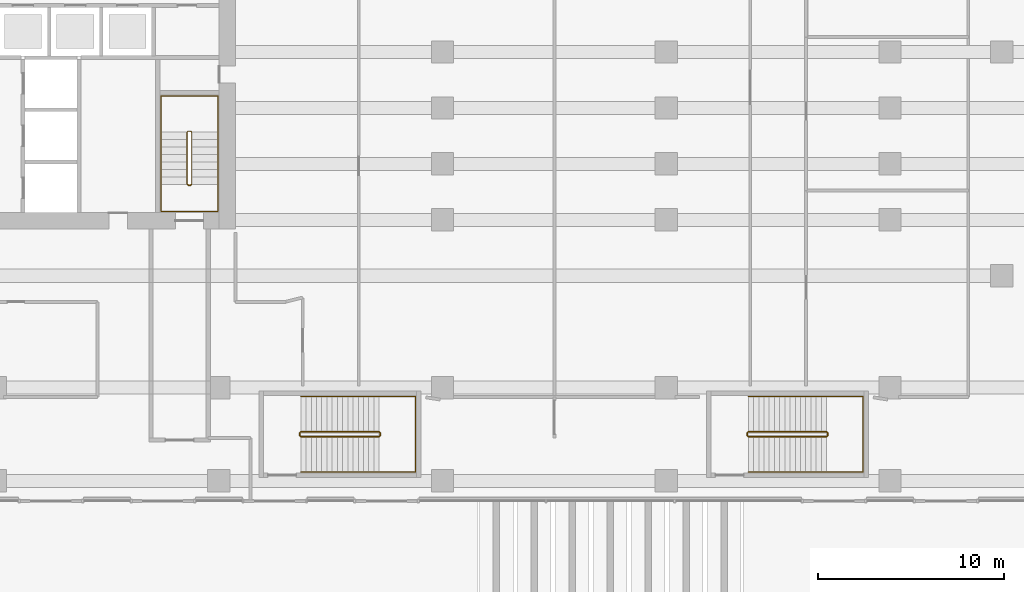
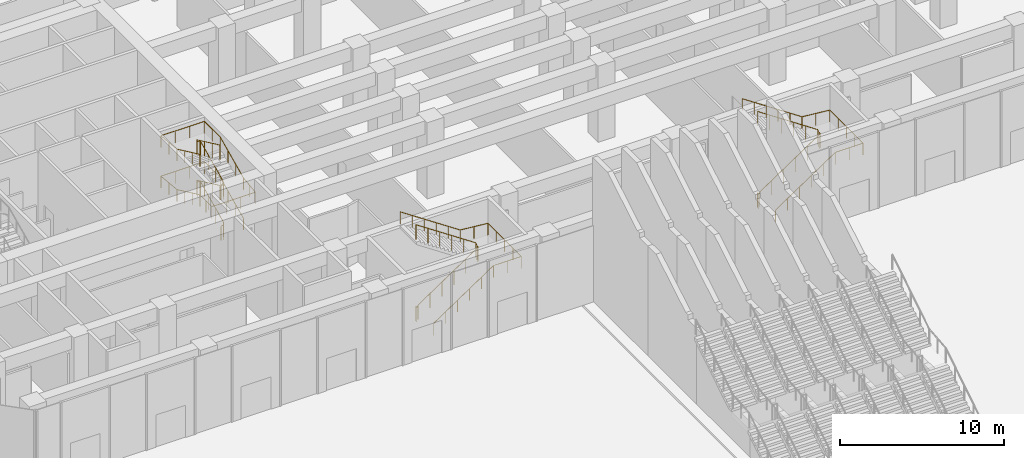
# One storey, part 29 of 32: 6 railings.
"""IFC4 building model written with IfcOpenShell, lengths in metres."""

from ifc_helpers import new_model, si_unit, direction, frame, origin, origin_2d, place, context, subcontext, project, spatial, circle, extrude, material, type_object, element, save


model = new_model("IFC4")

# Units and contexts
model_context = context("Model", 3, precision=1e-05, world=origin(), true_north=direction((0.0, 1.0)))
body_context = subcontext(model_context, "Body", "Model", "MODEL_VIEW")
ifc_project = project(units=[si_unit("LENGTHUNIT", "METRE"), si_unit("AREAUNIT", "SQUARE_METRE"), si_unit("VOLUMEUNIT", "CUBIC_METRE"), si_unit("PLANEANGLEUNIT", "RADIAN"), si_unit("MASSUNIT", "GRAM", prefix="KILO")], contexts=[model_context])

# Site, building, storey
site_placement = place(None, origin())
site = spatial("IfcSite", under=ifc_project, at=site_placement, CompositionType="ELEMENT")
building_placement = place(site_placement, origin())
building = spatial("IfcBuilding", under=site, at=building_placement, Name="Welwitschia Terrace Campus", CompositionType="ELEMENT")
storey_placement = place(building_placement, origin())
storey = spatial("IfcBuildingStorey", under=building, at=storey_placement, Name="L00", CompositionType="ELEMENT", Elevation=0.0)

# Railings
ifc_material_1 = material(Name="Steel S355", Category="steel")
railing_type_1 = type_object("IfcRailingType", Name="Stair guard 1100", PredefinedType="GUARDRAIL", material=ifc_material_1)
railing_1_placement = place(storey_placement, frame((22.35009765625, 6.85009765625, 0.0)))
element("IfcRailing", 1, at=railing_1_placement, inside=storey, type_object=railing_type_1, Name="L00 S2 stair guard", PredefinedType="GUARDRAIL", context=body_context, shape_type="SweptSolid", body=[
    extrude(circle(Radius=0.02392578125, at=origin_2d()), frame((0.0, 0.0, 1.076171875), z_axis=(1.0, 0.0, 0.0), x_axis=(0.0, 1.0, 0.0)), (0.0, 0.0, 1.0), 0.14990234375),
    extrude(circle(Radius=0.02392578125, at=origin_2d()), frame((0.14990234375, 0.0, 1.076171875), z_axis=(0.249802250048, 0.248583702486, 0.935844527007), x_axis=(-0.705375805398, 0.708833529934, 0.0)), (0.0, 0.0, 1.0), 0.200439453125),
    extrude(circle(Radius=0.02392578125, at=origin_2d()), frame((0.199951171875, 0.0498046875, 1.263671875), z_axis=(0.0, 0.905461780365, 0.424427808112), x_axis=(-1.0, 0.0, 0.0)), (0.0, 0.0, 1.0), 3.09228515625),
    extrude(circle(Radius=0.02392578125, at=origin_2d()), frame((0.199951171875, 2.849853515625, 2.576171875), z_axis=(-0.707106781187, 0.707106781187, 0.0), x_axis=(-0.707106781187, -0.707106781187, 0.0)), (0.0, 0.0, 1.0), 0.07080078125),
    extrude(circle(Radius=0.02392578125, at=origin_2d()), frame((0.14990234375, 2.89990234375, 2.576171875), z_axis=(-1.0, 0.0, 0.0), x_axis=(0.0, -1.0, 0.0)), (0.0, 0.0, 1.0), 0.14990234375),
    extrude(circle(Radius=0.02392578125, at=origin_2d()), frame((0.0, 2.89990234375, 2.576171875), z_axis=(-0.249726431254, -0.249726431254, 0.935560483917), x_axis=(0.707106781187, -0.707106781187, 0.0)), (0.0, 0.0, 1.0), 0.200439453125),
    extrude(circle(Radius=0.02392578125, at=origin_2d()), frame((-0.050048828125, 2.849853515625, 2.763671875), z_axis=(0.0, -0.905461780365, 0.424427808112), x_axis=(1.0, 0.0, 0.0)), (0.0, 0.0, 1.0), 3.09228515625),
    extrude(circle(Radius=0.02392578125, at=origin_2d()), frame((-0.050048828125, 0.0498046875, 4.076171875), z_axis=(0.970351222016, -0.241699205484, 0.0), x_axis=(0.241699205484, 0.970351222016, 0.0)), (0.0, 0.0, 1.0), 0.2060546875),
    extrude(circle(Radius=0.02392578125, at=origin_2d()), frame((0.14990234375, 0.0, 4.076171875), z_axis=(-1.0, 0.0, 0.0), x_axis=(0.0, -1.0, 0.0)), (0.0, 0.0, 1.0), 0.14990234375),
    extrude(circle(Radius=0.02392578125, at=origin_2d()), frame((0.0, 0.0, 4.076171875), z_axis=(0.717703211385, 0.178768565473, 0.673011070017), x_axis=(-0.241699205484, 0.970351222016, 0.0)), (0.0, 0.0, 1.0), 0.278564453125),
    extrude(circle(Radius=0.02392578125, at=origin_2d()), frame((0.199951171875, 0.0498046875, 4.263671875), z_axis=(0.0, 0.905461780365, 0.424427808112), x_axis=(-1.0, 0.0, 0.0)), (0.0, 0.0, 1.0), 3.09228515625),
    extrude(circle(Radius=0.02392578125, at=origin_2d()), frame((0.199951171875, 2.849853515625, 5.576171875), z_axis=(-0.707106781187, 0.707106781187, 0.0), x_axis=(-0.707106781187, -0.707106781187, 0.0)), (0.0, 0.0, 1.0), 0.07080078125),
    extrude(circle(Radius=0.02392578125, at=origin_2d()), frame((0.14990234375, 2.89990234375, 5.576171875), z_axis=(-1.0, 0.0, 0.0), x_axis=(0.0, -1.0, 0.0)), (0.0, 0.0, 1.0), 0.14990234375),
    extrude(circle(Radius=0.02392578125, at=origin_2d()), frame((0.0, 2.89990234375, 5.576171875), z_axis=(-0.249726431254, -0.249726431254, 0.935560483917), x_axis=(0.707106781187, -0.707106781187, 0.0)), (0.0, 0.0, 1.0), 0.200439453125),
    extrude(circle(Radius=0.02392578125, at=origin_2d()), frame((-0.050048828125, 2.849853515625, 5.763671875), z_axis=(0.0, -0.905461780365, 0.424427808112), x_axis=(1.0, 0.0, 0.0)), (0.0, 0.0, 1.0), 3.09228515625),
    extrude(circle(Radius=0.02099609375, at=origin_2d()), origin(), (0.0, 0.0, 1.0), 1.052001953125),
    extrude(circle(Radius=0.02099609375, at=origin_2d()), frame((0.14990234375, 0.0, 0.0)), (0.0, 0.0, 1.0), 1.052001953125),
    extrude(circle(Radius=0.02099609375, at=origin_2d()), frame((0.199951171875, 0.0498046875, 0.1875)), (0.0, 0.0, 1.0), 1.052001953125),
    extrude(circle(Radius=0.02099609375, at=origin_2d()), frame((0.199951171875, 0.983154296875, 0.625)), (0.0, 0.0, 1.0), 1.052001953125),
    extrude(circle(Radius=0.02099609375, at=origin_2d()), frame((0.199951171875, 1.91650390625, 1.0625)), (0.0, 0.0, 1.0), 1.052001953125),
    extrude(circle(Radius=0.02099609375, at=origin_2d()), frame((0.199951171875, 2.849853515625, 1.5)), (0.0, 0.0, 1.0), 1.052001953125),
    extrude(circle(Radius=0.02099609375, at=origin_2d()), frame((0.14990234375, 2.89990234375, 1.5)), (0.0, 0.0, 1.0), 1.052001953125),
    extrude(circle(Radius=0.02099609375, at=origin_2d()), frame((0.0, 2.89990234375, 1.5)), (0.0, 0.0, 1.0), 1.052001953125),
    extrude(circle(Radius=0.02099609375, at=origin_2d()), frame((-0.050048828125, 2.849853515625, 1.6875)), (0.0, 0.0, 1.0), 1.052001953125),
    extrude(circle(Radius=0.02099609375, at=origin_2d()), frame((-0.050048828125, 1.91650390625, 2.125)), (0.0, 0.0, 1.0), 1.052001953125),
    extrude(circle(Radius=0.02099609375, at=origin_2d()), frame((-0.050048828125, 0.983154296875, 2.5625)), (0.0, 0.0, 1.0), 1.052001953125),
    extrude(circle(Radius=0.02099609375, at=origin_2d()), frame((-0.050048828125, 0.0498046875, 3.0)), (0.0, 0.0, 1.0), 1.052001953125),
    extrude(circle(Radius=0.02099609375, at=origin_2d()), frame((0.14990234375, 0.0, 3.0)), (0.0, 0.0, 1.0), 1.052001953125),
    extrude(circle(Radius=0.02099609375, at=origin_2d()), frame((0.0, 0.0, 3.0)), (0.0, 0.0, 1.0), 1.052001953125),
    extrude(circle(Radius=0.02099609375, at=origin_2d()), frame((0.199951171875, 0.0498046875, 3.1875)), (0.0, 0.0, 1.0), 1.052001953125),
    extrude(circle(Radius=0.02099609375, at=origin_2d()), frame((0.199951171875, 0.983154296875, 3.625)), (0.0, 0.0, 1.0), 1.052001953125),
    extrude(circle(Radius=0.02099609375, at=origin_2d()), frame((0.199951171875, 1.91650390625, 4.0625)), (0.0, 0.0, 1.0), 1.052001953125),
    extrude(circle(Radius=0.02099609375, at=origin_2d()), frame((0.199951171875, 2.849853515625, 4.5)), (0.0, 0.0, 1.0), 1.052001953125),
    extrude(circle(Radius=0.02099609375, at=origin_2d()), frame((0.14990234375, 2.89990234375, 4.5)), (0.0, 0.0, 1.0), 1.052001953125),
    extrude(circle(Radius=0.02099609375, at=origin_2d()), frame((0.0, 2.89990234375, 4.5)), (0.0, 0.0, 1.0), 1.052001953125),
    extrude(circle(Radius=0.02099609375, at=origin_2d()), frame((-0.050048828125, 2.849853515625, 4.6875)), (0.0, 0.0, 1.0), 1.052001953125),
    extrude(circle(Radius=0.02099609375, at=origin_2d()), frame((-0.050048828125, 1.91650390625, 5.125)), (0.0, 0.0, 1.0), 1.052001953125),
    extrude(circle(Radius=0.02099609375, at=origin_2d()), frame((-0.050048828125, 0.983154296875, 5.5625)), (0.0, 0.0, 1.0), 1.052001953125),
    extrude(circle(Radius=0.02099609375, at=origin_2d()), frame((-0.050048828125, 0.0498046875, 6.0)), (0.0, 0.0, 1.0), 1.052001953125),
])
railing_2_placement = place(storey_placement, frame((28.35009765625, -6.425048828125, 0.0)))
element("IfcRailing", 2, at=railing_2_placement, inside=storey, type_object=railing_type_1, Name="L00 P1 stair guard", PredefinedType="GUARDRAIL", context=body_context, shape_type="SweptSolid", body=[
    extrude(circle(Radius=0.02392578125, at=origin_2d()), frame((0.0, 0.0, 1.076171875), z_axis=(0.0, -1.0, 0.0), x_axis=(1.0, 0.0, 0.0)), (0.0, 0.0, 1.0), 0.14990234375),
    extrude(circle(Radius=0.02392578125, at=origin_2d()), frame((0.0, -0.14990234375, 1.076171875), z_axis=(0.248583702486, -0.249802250048, 0.935844527007), x_axis=(0.708833529934, 0.705375805398, 0.0)), (0.0, 0.0, 1.0), 0.200439453125),
    extrude(circle(Radius=0.02392578125, at=origin_2d()), frame((0.0498046875, -0.199951171875, 1.263671875), z_axis=(0.830919138977, 0.0, 0.55639319234), x_axis=(0.0, 1.0, 0.0)), (0.0, 0.0, 1.0), 5.054931640625),
    extrude(circle(Radius=0.02392578125, at=origin_2d()), frame((4.25, -0.199951171875, 4.076171875), z_axis=(0.705375805398, 0.708833529934, 0.0), x_axis=(-0.708833529934, 0.705375805398, 0.0)), (0.0, 0.0, 1.0), 0.070556640625),
    extrude(circle(Radius=0.02392578125, at=origin_2d()), frame((4.2998046875, -0.14990234375, 4.076171875), z_axis=(0.0, 1.0, 0.0), x_axis=(-1.0, 0.0, 0.0)), (0.0, 0.0, 1.0), 0.14990234375),
    extrude(circle(Radius=0.02392578125, at=origin_2d()), frame((4.2998046875, 0.0, 4.076171875), z_axis=(-0.248583702486, 0.249802250048, 0.935844527007), x_axis=(-0.708833529934, -0.705375805398, 0.0)), (0.0, 0.0, 1.0), 0.200439453125),
    extrude(circle(Radius=0.02392578125, at=origin_2d()), frame((4.25, 0.050048828125, 4.263671875), z_axis=(-0.830919138977, 0.0, 0.55639319234), x_axis=(0.0, -1.0, 0.0)), (0.0, 0.0, 1.0), 5.054931640625),
    extrude(circle(Radius=0.02099609375, at=origin_2d()), origin(), (0.0, 0.0, 1.0), 1.052001953125),
    extrude(circle(Radius=0.02099609375, at=origin_2d()), frame((0.0, -0.14990234375, 0.0)), (0.0, 0.0, 1.0), 1.052001953125),
    extrude(circle(Radius=0.02099609375, at=origin_2d()), frame((0.0498046875, -0.199951171875, 0.1875)), (0.0, 0.0, 1.0), 1.052001953125),
    extrude(circle(Radius=0.02099609375, at=origin_2d()), frame((0.889892578125, -0.199951171875, 0.75)), (0.0, 0.0, 1.0), 1.052001953125),
    extrude(circle(Radius=0.02099609375, at=origin_2d()), frame((1.72998046875, -0.199951171875, 1.3125)), (0.0, 0.0, 1.0), 1.052001953125),
    extrude(circle(Radius=0.02099609375, at=origin_2d()), frame((2.56982421875, -0.199951171875, 1.875)), (0.0, 0.0, 1.0), 1.052001953125),
    extrude(circle(Radius=0.02099609375, at=origin_2d()), frame((3.409912109375, -0.199951171875, 2.4375)), (0.0, 0.0, 1.0), 1.052001953125),
    extrude(circle(Radius=0.02099609375, at=origin_2d()), frame((4.25, -0.199951171875, 3.0)), (0.0, 0.0, 1.0), 1.052001953125),
    extrude(circle(Radius=0.02099609375, at=origin_2d()), frame((4.2998046875, -0.14990234375, 3.0)), (0.0, 0.0, 1.0), 1.052001953125),
    extrude(circle(Radius=0.02099609375, at=origin_2d()), frame((4.2998046875, 0.0, 3.0)), (0.0, 0.0, 1.0), 1.052001953125),
    extrude(circle(Radius=0.02099609375, at=origin_2d()), frame((4.25, 0.050048828125, 3.1875)), (0.0, 0.0, 1.0), 1.052001953125),
    extrude(circle(Radius=0.02099609375, at=origin_2d()), frame((3.409912109375, 0.050048828125, 3.75)), (0.0, 0.0, 1.0), 1.052001953125),
    extrude(circle(Radius=0.02099609375, at=origin_2d()), frame((2.56982421875, 0.050048828125, 4.3125)), (0.0, 0.0, 1.0), 1.052001953125),
    extrude(circle(Radius=0.02099609375, at=origin_2d()), frame((1.72998046875, 0.050048828125, 4.875)), (0.0, 0.0, 1.0), 1.052001953125),
    extrude(circle(Radius=0.02099609375, at=origin_2d()), frame((0.889892578125, 0.050048828125, 5.4375)), (0.0, 0.0, 1.0), 1.052001953125),
    extrude(circle(Radius=0.02099609375, at=origin_2d()), frame((0.0498046875, 0.050048828125, 6.0)), (0.0, 0.0, 1.0), 1.052001953125),
])
railing_3_placement = place(storey_placement, frame((52.35009765625, -6.425048828125, 0.0)))
element("IfcRailing", 3, at=railing_3_placement, inside=storey, type_object=railing_type_1, Name="L00 P2 stair guard", PredefinedType="GUARDRAIL", context=body_context, shape_type="SweptSolid", body=[
    extrude(circle(Radius=0.02392578125, at=origin_2d()), frame((0.0, 0.0, 1.076171875), z_axis=(0.0, -1.0, 0.0), x_axis=(1.0, 0.0, 0.0)), (0.0, 0.0, 1.0), 0.14990234375),
    extrude(circle(Radius=0.02392578125, at=origin_2d()), frame((0.0, -0.14990234375, 1.076171875), z_axis=(0.248583702486, -0.249802250048, 0.935844527007), x_axis=(0.708833529934, 0.705375805398, 0.0)), (0.0, 0.0, 1.0), 0.200439453125),
    extrude(circle(Radius=0.02392578125, at=origin_2d()), frame((0.0498046875, -0.199951171875, 1.263671875), z_axis=(0.830919138977, 0.0, 0.55639319234), x_axis=(0.0, 1.0, 0.0)), (0.0, 0.0, 1.0), 5.054931640625),
    extrude(circle(Radius=0.02392578125, at=origin_2d()), frame((4.25, -0.199951171875, 4.076171875), z_axis=(0.705375805398, 0.708833529934, 0.0), x_axis=(-0.708833529934, 0.705375805398, 0.0)), (0.0, 0.0, 1.0), 0.070556640625),
    extrude(circle(Radius=0.02392578125, at=origin_2d()), frame((4.2998046875, -0.14990234375, 4.076171875), z_axis=(0.0, 1.0, 0.0), x_axis=(-1.0, 0.0, 0.0)), (0.0, 0.0, 1.0), 0.14990234375),
    extrude(circle(Radius=0.02392578125, at=origin_2d()), frame((4.2998046875, 0.0, 4.076171875), z_axis=(-0.248583702486, 0.249802250048, 0.935844527007), x_axis=(-0.708833529934, -0.705375805398, 0.0)), (0.0, 0.0, 1.0), 0.200439453125),
    extrude(circle(Radius=0.02392578125, at=origin_2d()), frame((4.25, 0.050048828125, 4.263671875), z_axis=(-0.830919138977, 0.0, 0.55639319234), x_axis=(0.0, -1.0, 0.0)), (0.0, 0.0, 1.0), 5.054931640625),
    extrude(circle(Radius=0.02099609375, at=origin_2d()), origin(), (0.0, 0.0, 1.0), 1.052001953125),
    extrude(circle(Radius=0.02099609375, at=origin_2d()), frame((0.0, -0.14990234375, 0.0)), (0.0, 0.0, 1.0), 1.052001953125),
    extrude(circle(Radius=0.02099609375, at=origin_2d()), frame((0.0498046875, -0.199951171875, 0.1875)), (0.0, 0.0, 1.0), 1.052001953125),
    extrude(circle(Radius=0.02099609375, at=origin_2d()), frame((0.889892578125, -0.199951171875, 0.75)), (0.0, 0.0, 1.0), 1.052001953125),
    extrude(circle(Radius=0.02099609375, at=origin_2d()), frame((1.72998046875, -0.199951171875, 1.3125)), (0.0, 0.0, 1.0), 1.052001953125),
    extrude(circle(Radius=0.02099609375, at=origin_2d()), frame((2.56982421875, -0.199951171875, 1.875)), (0.0, 0.0, 1.0), 1.052001953125),
    extrude(circle(Radius=0.02099609375, at=origin_2d()), frame((3.409912109375, -0.199951171875, 2.4375)), (0.0, 0.0, 1.0), 1.052001953125),
    extrude(circle(Radius=0.02099609375, at=origin_2d()), frame((4.25, -0.199951171875, 3.0)), (0.0, 0.0, 1.0), 1.052001953125),
    extrude(circle(Radius=0.02099609375, at=origin_2d()), frame((4.2998046875, -0.14990234375, 3.0)), (0.0, 0.0, 1.0), 1.052001953125),
    extrude(circle(Radius=0.02099609375, at=origin_2d()), frame((4.2998046875, 0.0, 3.0)), (0.0, 0.0, 1.0), 1.052001953125),
    extrude(circle(Radius=0.02099609375, at=origin_2d()), frame((4.25, 0.050048828125, 3.1875)), (0.0, 0.0, 1.0), 1.052001953125),
    extrude(circle(Radius=0.02099609375, at=origin_2d()), frame((3.409912109375, 0.050048828125, 3.75)), (0.0, 0.0, 1.0), 1.052001953125),
    extrude(circle(Radius=0.02099609375, at=origin_2d()), frame((2.56982421875, 0.050048828125, 4.3125)), (0.0, 0.0, 1.0), 1.052001953125),
    extrude(circle(Radius=0.02099609375, at=origin_2d()), frame((1.72998046875, 0.050048828125, 4.875)), (0.0, 0.0, 1.0), 1.052001953125),
    extrude(circle(Radius=0.02099609375, at=origin_2d()), frame((0.889892578125, 0.050048828125, 5.4375)), (0.0, 0.0, 1.0), 1.052001953125),
    extrude(circle(Radius=0.02099609375, at=origin_2d()), frame((0.0498046875, 0.050048828125, 6.0)), (0.0, 0.0, 1.0), 1.052001953125),
])
ifc_material_2 = material(Name="Steel S355", Category="steel")
railing_type_2 = type_object("IfcRailingType", Name="Stair handrail 900", PredefinedType="HANDRAIL", material=ifc_material_2)
railing_4_placement = place(storey_placement, frame((23.949951171875, 6.89990234375, 0.1875)))
element("IfcRailing", 4, at=railing_4_placement, inside=storey, type_object=railing_type_2, Name="L00 S2 stair handrail", PredefinedType="HANDRAIL", context=body_context, shape_type="SweptSolid", body=[
    extrude(circle(Radius=0.02392578125, at=origin_2d()), frame((0.0, 0.0, 0.8759765625), z_axis=(0.0, 0.905461780365, 0.424427808112), x_axis=(-1.0, 0.0, 0.0)), (0.0, 0.0, 1.0), 3.09228515625),
    extrude(circle(Radius=0.02392578125, at=origin_2d()), frame((0.0, 2.800048828125, 2.1884765625), z_axis=(0.0, 1.0, 0.0), x_axis=(-1.0, 0.0, 0.0)), (0.0, 0.0, 1.0), 1.949951171875),
    extrude(circle(Radius=0.02392578125, at=origin_2d()), frame((0.0, 4.75, 2.1884765625), z_axis=(-1.0, 0.0, 0.0), x_axis=(0.0, -1.0, 0.0)), (0.0, 0.0, 1.0), 3.050048828125),
    extrude(circle(Radius=0.02392578125, at=origin_2d()), frame((-3.050048828125, 4.75, 2.1884765625), z_axis=(0.0, -0.995408800756, 0.095714781392), x_axis=(1.0, 0.0, 0.0)), (0.0, 0.0, 1.0), 1.958984375),
    extrude(circle(Radius=0.02392578125, at=origin_2d()), frame((-3.050048828125, 2.800048828125, 2.3759765625), z_axis=(0.0, -0.905461780365, 0.424427808112), x_axis=(1.0, 0.0, 0.0)), (0.0, 0.0, 1.0), 3.09228515625),
    extrude(circle(Radius=0.02392578125, at=origin_2d()), frame((-3.050048828125, 0.0, 3.6884765625), z_axis=(0.0, -1.0, 0.0), x_axis=(1.0, 0.0, 0.0)), (0.0, 0.0, 1.0), 1.449951171875),
    extrude(circle(Radius=0.02392578125, at=origin_2d()), frame((-3.050048828125, -1.449951171875, 3.6884765625), z_axis=(1.0, 0.0, 0.0), x_axis=(0.0, 1.0, 0.0)), (0.0, 0.0, 1.0), 3.050048828125),
    extrude(circle(Radius=0.02392578125, at=origin_2d()), frame((0.0, -1.449951171875, 3.6884765625), z_axis=(0.0, 0.991742277163, 0.128246854498), x_axis=(-1.0, 0.0, 0.0)), (0.0, 0.0, 1.0), 1.4619140625),
    extrude(circle(Radius=0.02392578125, at=origin_2d()), frame((0.0, 0.0, 3.8759765625), z_axis=(0.0, 0.905461780365, 0.424427808112), x_axis=(-1.0, 0.0, 0.0)), (0.0, 0.0, 1.0), 3.09228515625),
    extrude(circle(Radius=0.02392578125, at=origin_2d()), frame((0.0, 2.800048828125, 5.1884765625), z_axis=(0.0, 1.0, 0.0), x_axis=(-1.0, 0.0, 0.0)), (0.0, 0.0, 1.0), 1.949951171875),
    extrude(circle(Radius=0.02392578125, at=origin_2d()), frame((0.0, 4.75, 5.1884765625), z_axis=(-1.0, 0.0, 0.0), x_axis=(0.0, -1.0, 0.0)), (0.0, 0.0, 1.0), 3.050048828125),
    extrude(circle(Radius=0.02392578125, at=origin_2d()), frame((-3.050048828125, 4.75, 5.1884765625), z_axis=(0.0, -0.995408800756, 0.095714781392), x_axis=(1.0, 0.0, 0.0)), (0.0, 0.0, 1.0), 1.958984375),
    extrude(circle(Radius=0.02392578125, at=origin_2d()), frame((-3.050048828125, 2.800048828125, 5.3759765625), z_axis=(0.0, -0.905461780365, 0.424427808112), x_axis=(1.0, 0.0, 0.0)), (0.0, 0.0, 1.0), 3.09228515625),
    extrude(circle(Radius=0.02099609375, at=origin_2d()), origin(), (0.0, 0.0, 1.0), 0.851806640625),
    extrude(circle(Radius=0.02099609375, at=origin_2d()), frame((0.0, 0.933349609375, 0.4375)), (0.0, 0.0, 1.0), 0.851806640625),
    extrude(circle(Radius=0.02099609375, at=origin_2d()), frame((0.0, 1.86669921875, 0.875)), (0.0, 0.0, 1.0), 0.851806640625),
    extrude(circle(Radius=0.02099609375, at=origin_2d()), frame((0.0, 2.800048828125, 1.3125)), (0.0, 0.0, 1.0), 0.851806640625),
    extrude(circle(Radius=0.02099609375, at=origin_2d()), frame((0.0, 3.77490234375, 1.3125)), (0.0, 0.0, 1.0), 0.851806640625),
    extrude(circle(Radius=0.02099609375, at=origin_2d()), frame((0.0, 4.75, 1.3125)), (0.0, 0.0, 1.0), 0.851806640625),
    extrude(circle(Radius=0.02099609375, at=origin_2d()), frame((-1.0166015625, 4.75, 1.3125)), (0.0, 0.0, 1.0), 0.851806640625),
    extrude(circle(Radius=0.02099609375, at=origin_2d()), frame((-2.033447265625, 4.75, 1.3125)), (0.0, 0.0, 1.0), 0.851806640625),
    extrude(circle(Radius=0.02099609375, at=origin_2d()), frame((-3.050048828125, 4.75, 1.3125)), (0.0, 0.0, 1.0), 0.851806640625),
    extrude(circle(Radius=0.02099609375, at=origin_2d()), frame((-3.050048828125, 3.77490234375, 1.40625)), (0.0, 0.0, 1.0), 0.851806640625),
    extrude(circle(Radius=0.02099609375, at=origin_2d()), frame((-3.050048828125, 2.800048828125, 1.5)), (0.0, 0.0, 1.0), 0.851806640625),
    extrude(circle(Radius=0.02099609375, at=origin_2d()), frame((-3.050048828125, 1.86669921875, 1.9375)), (0.0, 0.0, 1.0), 0.851806640625),
    extrude(circle(Radius=0.02099609375, at=origin_2d()), frame((-3.050048828125, 0.933349609375, 2.375)), (0.0, 0.0, 1.0), 0.851806640625),
    extrude(circle(Radius=0.02099609375, at=origin_2d()), frame((-3.050048828125, 0.0, 2.8125)), (0.0, 0.0, 1.0), 0.851806640625),
    extrude(circle(Radius=0.02099609375, at=origin_2d()), frame((-3.050048828125, -0.72509765625, 2.8125)), (0.0, 0.0, 1.0), 0.851806640625),
    extrude(circle(Radius=0.02099609375, at=origin_2d()), frame((-3.050048828125, -1.449951171875, 2.8125)), (0.0, 0.0, 1.0), 0.851806640625),
    extrude(circle(Radius=0.02099609375, at=origin_2d()), frame((-2.033447265625, -1.449951171875, 2.8125)), (0.0, 0.0, 1.0), 0.851806640625),
    extrude(circle(Radius=0.02099609375, at=origin_2d()), frame((-1.0166015625, -1.449951171875, 2.8125)), (0.0, 0.0, 1.0), 0.851806640625),
    extrude(circle(Radius=0.02099609375, at=origin_2d()), frame((0.0, -1.449951171875, 2.8125)), (0.0, 0.0, 1.0), 0.851806640625),
    extrude(circle(Radius=0.02099609375, at=origin_2d()), frame((0.0, -0.72509765625, 2.90625)), (0.0, 0.0, 1.0), 0.851806640625),
    extrude(circle(Radius=0.02099609375, at=origin_2d()), frame((0.0, 0.0, 3.0)), (0.0, 0.0, 1.0), 0.851806640625),
    extrude(circle(Radius=0.02099609375, at=origin_2d()), frame((0.0, 0.933349609375, 3.4375)), (0.0, 0.0, 1.0), 0.851806640625),
    extrude(circle(Radius=0.02099609375, at=origin_2d()), frame((0.0, 1.86669921875, 3.875)), (0.0, 0.0, 1.0), 0.851806640625),
    extrude(circle(Radius=0.02099609375, at=origin_2d()), frame((0.0, 2.800048828125, 4.3125)), (0.0, 0.0, 1.0), 0.851806640625),
    extrude(circle(Radius=0.02099609375, at=origin_2d()), frame((0.0, 3.77490234375, 4.3125)), (0.0, 0.0, 1.0), 0.851806640625),
    extrude(circle(Radius=0.02099609375, at=origin_2d()), frame((0.0, 4.75, 4.3125)), (0.0, 0.0, 1.0), 0.851806640625),
    extrude(circle(Radius=0.02099609375, at=origin_2d()), frame((-1.0166015625, 4.75, 4.3125)), (0.0, 0.0, 1.0), 0.851806640625),
    extrude(circle(Radius=0.02099609375, at=origin_2d()), frame((-2.033447265625, 4.75, 4.3125)), (0.0, 0.0, 1.0), 0.851806640625),
    extrude(circle(Radius=0.02099609375, at=origin_2d()), frame((-3.050048828125, 4.75, 4.3125)), (0.0, 0.0, 1.0), 0.851806640625),
    extrude(circle(Radius=0.02099609375, at=origin_2d()), frame((-3.050048828125, 3.77490234375, 4.40625)), (0.0, 0.0, 1.0), 0.851806640625),
    extrude(circle(Radius=0.02099609375, at=origin_2d()), frame((-3.050048828125, 2.800048828125, 4.5)), (0.0, 0.0, 1.0), 0.851806640625),
    extrude(circle(Radius=0.02099609375, at=origin_2d()), frame((-3.050048828125, 1.86669921875, 4.9375)), (0.0, 0.0, 1.0), 0.851806640625),
    extrude(circle(Radius=0.02099609375, at=origin_2d()), frame((-3.050048828125, 0.933349609375, 5.375)), (0.0, 0.0, 1.0), 0.851806640625),
    extrude(circle(Radius=0.02099609375, at=origin_2d()), frame((-3.050048828125, 0.0, 5.8125)), (0.0, 0.0, 1.0), 0.851806640625),
])
railing_5_placement = place(storey_placement, frame((28.39990234375, -8.52490234375, 0.1875)))
element("IfcRailing", 5, at=railing_5_placement, inside=storey, type_object=railing_type_2, Name="L00 P1 stair handrail", PredefinedType="HANDRAIL", context=body_context, shape_type="SweptSolid", body=[
    extrude(circle(Radius=0.02392578125, at=origin_2d()), frame((0.0, 0.0, 0.8759765625), z_axis=(0.830919138977, 0.0, 0.55639319234), x_axis=(0.0, 1.0, 0.0)), (0.0, 0.0, 1.0), 5.054931640625),
    extrude(circle(Radius=0.02392578125, at=origin_2d()), frame((4.2001953125, 0.0, 3.6884765625), z_axis=(1.0, 0.0, 0.0), x_axis=(0.0, 1.0, 0.0)), (0.0, 0.0, 1.0), 1.949951171875),
    extrude(circle(Radius=0.02392578125, at=origin_2d()), frame((6.150146484375, 0.0, 3.6884765625), z_axis=(0.0, 1.0, 0.0), x_axis=(-1.0, 0.0, 0.0)), (0.0, 0.0, 1.0), 4.0498046875),
    extrude(circle(Radius=0.02392578125, at=origin_2d()), frame((6.150146484375, 4.0498046875, 3.6884765625), z_axis=(-0.995408800756, 0.0, 0.095714781392), x_axis=(0.0, -1.0, 0.0)), (0.0, 0.0, 1.0), 1.958984375),
    extrude(circle(Radius=0.02392578125, at=origin_2d()), frame((4.2001953125, 4.0498046875, 3.8759765625), z_axis=(-0.830919138977, 0.0, 0.55639319234), x_axis=(0.0, -1.0, 0.0)), (0.0, 0.0, 1.0), 5.054931640625),
    extrude(circle(Radius=0.02099609375, at=origin_2d()), origin(), (0.0, 0.0, 1.0), 0.851806640625),
    extrude(circle(Radius=0.02099609375, at=origin_2d()), frame((0.840087890625, 0.0, 0.5625)), (0.0, 0.0, 1.0), 0.851806640625),
    extrude(circle(Radius=0.02099609375, at=origin_2d()), frame((1.68017578125, 0.0, 1.125)), (0.0, 0.0, 1.0), 0.851806640625),
    extrude(circle(Radius=0.02099609375, at=origin_2d()), frame((2.52001953125, 0.0, 1.6875)), (0.0, 0.0, 1.0), 0.851806640625),
    extrude(circle(Radius=0.02099609375, at=origin_2d()), frame((3.360107421875, 0.0, 2.25)), (0.0, 0.0, 1.0), 0.851806640625),
    extrude(circle(Radius=0.02099609375, at=origin_2d()), frame((4.2001953125, 0.0, 2.8125)), (0.0, 0.0, 1.0), 0.851806640625),
    extrude(circle(Radius=0.02099609375, at=origin_2d()), frame((5.17529296875, 0.0, 2.8125)), (0.0, 0.0, 1.0), 0.851806640625),
    extrude(circle(Radius=0.02099609375, at=origin_2d()), frame((6.150146484375, 0.0, 2.8125)), (0.0, 0.0, 1.0), 0.851806640625),
    extrude(circle(Radius=0.02099609375, at=origin_2d()), frame((6.150146484375, 1.012451171875, 2.8125)), (0.0, 0.0, 1.0), 0.851806640625),
    extrude(circle(Radius=0.02099609375, at=origin_2d()), frame((6.150146484375, 2.02490234375, 2.8125)), (0.0, 0.0, 1.0), 0.851806640625),
    extrude(circle(Radius=0.02099609375, at=origin_2d()), frame((6.150146484375, 3.037353515625, 2.8125)), (0.0, 0.0, 1.0), 0.851806640625),
    extrude(circle(Radius=0.02099609375, at=origin_2d()), frame((6.150146484375, 4.0498046875, 2.8125)), (0.0, 0.0, 1.0), 0.851806640625),
    extrude(circle(Radius=0.02099609375, at=origin_2d()), frame((5.17529296875, 4.0498046875, 2.90625)), (0.0, 0.0, 1.0), 0.851806640625),
    extrude(circle(Radius=0.02099609375, at=origin_2d()), frame((4.2001953125, 4.0498046875, 3.0)), (0.0, 0.0, 1.0), 0.851806640625),
    extrude(circle(Radius=0.02099609375, at=origin_2d()), frame((3.360107421875, 4.0498046875, 3.5625)), (0.0, 0.0, 1.0), 0.851806640625),
    extrude(circle(Radius=0.02099609375, at=origin_2d()), frame((2.52001953125, 4.0498046875, 4.125)), (0.0, 0.0, 1.0), 0.851806640625),
    extrude(circle(Radius=0.02099609375, at=origin_2d()), frame((1.68017578125, 4.0498046875, 4.6875)), (0.0, 0.0, 1.0), 0.851806640625),
    extrude(circle(Radius=0.02099609375, at=origin_2d()), frame((0.840087890625, 4.0498046875, 5.25)), (0.0, 0.0, 1.0), 0.851806640625),
    extrude(circle(Radius=0.02099609375, at=origin_2d()), frame((0.0, 4.0498046875, 5.8125)), (0.0, 0.0, 1.0), 0.851806640625),
])
railing_6_placement = place(storey_placement, frame((52.39990234375, -8.52490234375, 0.1875)))
element("IfcRailing", 6, at=railing_6_placement, inside=storey, type_object=railing_type_2, Name="L00 P2 stair handrail", PredefinedType="HANDRAIL", context=body_context, shape_type="SweptSolid", body=[
    extrude(circle(Radius=0.02392578125, at=origin_2d()), frame((0.0, 0.0, 0.8759765625), z_axis=(0.830919138977, 0.0, 0.55639319234), x_axis=(0.0, 1.0, 0.0)), (0.0, 0.0, 1.0), 5.054931640625),
    extrude(circle(Radius=0.02392578125, at=origin_2d()), frame((4.2001953125, 0.0, 3.6884765625), z_axis=(1.0, 0.0, 0.0), x_axis=(0.0, 1.0, 0.0)), (0.0, 0.0, 1.0), 1.949951171875),
    extrude(circle(Radius=0.02392578125, at=origin_2d()), frame((6.150146484375, 0.0, 3.6884765625), z_axis=(0.0, 1.0, 0.0), x_axis=(-1.0, 0.0, 0.0)), (0.0, 0.0, 1.0), 4.0498046875),
    extrude(circle(Radius=0.02392578125, at=origin_2d()), frame((6.150146484375, 4.0498046875, 3.6884765625), z_axis=(-0.995408800756, 0.0, 0.095714781392), x_axis=(0.0, -1.0, 0.0)), (0.0, 0.0, 1.0), 1.958984375),
    extrude(circle(Radius=0.02392578125, at=origin_2d()), frame((4.2001953125, 4.0498046875, 3.8759765625), z_axis=(-0.830919138977, 0.0, 0.55639319234), x_axis=(0.0, -1.0, 0.0)), (0.0, 0.0, 1.0), 5.054931640625),
    extrude(circle(Radius=0.02099609375, at=origin_2d()), origin(), (0.0, 0.0, 1.0), 0.851806640625),
    extrude(circle(Radius=0.02099609375, at=origin_2d()), frame((0.840087890625, 0.0, 0.5625)), (0.0, 0.0, 1.0), 0.851806640625),
    extrude(circle(Radius=0.02099609375, at=origin_2d()), frame((1.68017578125, 0.0, 1.125)), (0.0, 0.0, 1.0), 0.851806640625),
    extrude(circle(Radius=0.02099609375, at=origin_2d()), frame((2.52001953125, 0.0, 1.6875)), (0.0, 0.0, 1.0), 0.851806640625),
    extrude(circle(Radius=0.02099609375, at=origin_2d()), frame((3.360107421875, 0.0, 2.25)), (0.0, 0.0, 1.0), 0.851806640625),
    extrude(circle(Radius=0.02099609375, at=origin_2d()), frame((4.2001953125, 0.0, 2.8125)), (0.0, 0.0, 1.0), 0.851806640625),
    extrude(circle(Radius=0.02099609375, at=origin_2d()), frame((5.17529296875, 0.0, 2.8125)), (0.0, 0.0, 1.0), 0.851806640625),
    extrude(circle(Radius=0.02099609375, at=origin_2d()), frame((6.150146484375, 0.0, 2.8125)), (0.0, 0.0, 1.0), 0.851806640625),
    extrude(circle(Radius=0.02099609375, at=origin_2d()), frame((6.150146484375, 1.012451171875, 2.8125)), (0.0, 0.0, 1.0), 0.851806640625),
    extrude(circle(Radius=0.02099609375, at=origin_2d()), frame((6.150146484375, 2.02490234375, 2.8125)), (0.0, 0.0, 1.0), 0.851806640625),
    extrude(circle(Radius=0.02099609375, at=origin_2d()), frame((6.150146484375, 3.037353515625, 2.8125)), (0.0, 0.0, 1.0), 0.851806640625),
    extrude(circle(Radius=0.02099609375, at=origin_2d()), frame((6.150146484375, 4.0498046875, 2.8125)), (0.0, 0.0, 1.0), 0.851806640625),
    extrude(circle(Radius=0.02099609375, at=origin_2d()), frame((5.17529296875, 4.0498046875, 2.90625)), (0.0, 0.0, 1.0), 0.851806640625),
    extrude(circle(Radius=0.02099609375, at=origin_2d()), frame((4.2001953125, 4.0498046875, 3.0)), (0.0, 0.0, 1.0), 0.851806640625),
    extrude(circle(Radius=0.02099609375, at=origin_2d()), frame((3.360107421875, 4.0498046875, 3.5625)), (0.0, 0.0, 1.0), 0.851806640625),
    extrude(circle(Radius=0.02099609375, at=origin_2d()), frame((2.52001953125, 4.0498046875, 4.125)), (0.0, 0.0, 1.0), 0.851806640625),
    extrude(circle(Radius=0.02099609375, at=origin_2d()), frame((1.68017578125, 4.0498046875, 4.6875)), (0.0, 0.0, 1.0), 0.851806640625),
    extrude(circle(Radius=0.02099609375, at=origin_2d()), frame((0.840087890625, 4.0498046875, 5.25)), (0.0, 0.0, 1.0), 0.851806640625),
    extrude(circle(Radius=0.02099609375, at=origin_2d()), frame((0.0, 4.0498046875, 5.8125)), (0.0, 0.0, 1.0), 0.851806640625),
])

save(model, "model.ifc")
